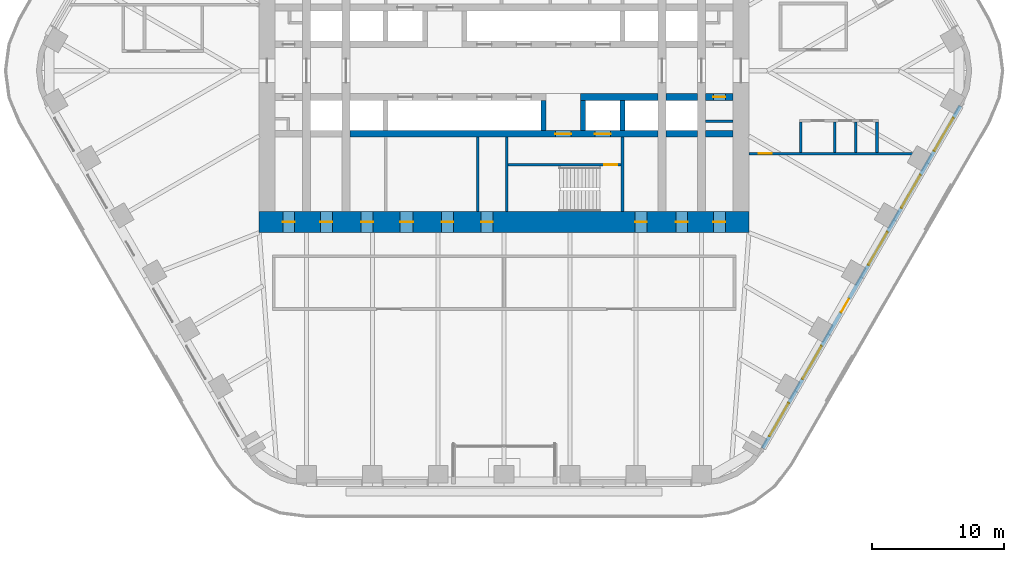
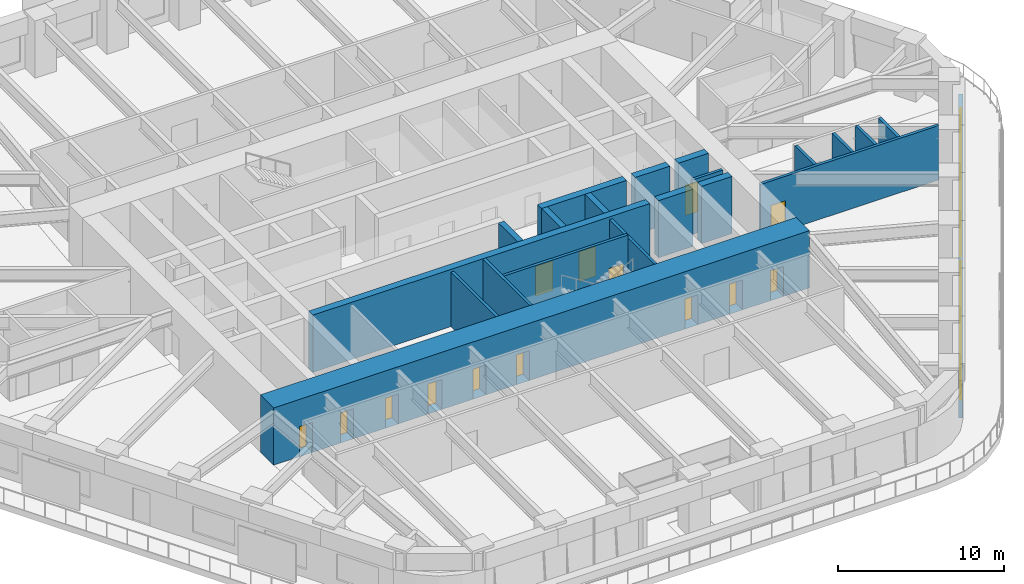
# One storey, part 18 of 24: 21 walls, 15 doors, 5 windows, 20 openings.
"""IFC4 building model written with IfcOpenShell, lengths in metres."""

from ifc_helpers import new_model, si_unit, direction, frame, frame_2d, origin, place, context, subcontext, project, spatial, rectangle, extrude, material, layer, layer_set, type_object, element, fill, save


model = new_model("IFC4")

# Units and contexts
model_context = context("Model", 3, precision=1e-05, world=origin(), true_north=direction((0.0, 1.0)))
body_context = subcontext(model_context, "Body", "Model", "MODEL_VIEW")
ifc_project = project(units=[si_unit("LENGTHUNIT", "METRE"), si_unit("AREAUNIT", "SQUARE_METRE"), si_unit("VOLUMEUNIT", "CUBIC_METRE"), si_unit("PLANEANGLEUNIT", "RADIAN"), si_unit("MASSUNIT", "GRAM", prefix="KILO")], contexts=[model_context])

# Site, building, storey
site_placement = place(None, origin())
site = spatial("IfcSite", under=ifc_project, at=site_placement, CompositionType="ELEMENT")
building_placement = place(site_placement, origin())
building = spatial("IfcBuilding", under=site, at=building_placement, Name="Tarfa Lantern Tower", CompositionType="ELEMENT")
storey_placement = place(building_placement, frame((0.0, 0.0, 195.10009765625)))
storey = spatial("IfcBuildingStorey", under=building, at=storey_placement, Name="L44", CompositionType="ELEMENT", Elevation=195.10009765625)

# Wall, openings, door, windows
ifc_material_1 = material(Name="Limestone cladding on blockwork", Category="masonry")
ifc_layer_1 = layer(ifc_material_1, 0.300048828125)
ifc_layer_set_1 = layer_set([ifc_layer_1], Name="EW1 STONE-CLAD WALL 300")
wall_type_1 = type_object("IfcWallType", Name="EW1 STONE-CLAD WALL 300", PredefinedType="SOLIDWALL", material=ifc_layer_set_1)
wall_1_placement = place(storey_placement, frame((19.644287109375, -28.675048828125, 0.0), z_axis=(0.0, 0.0, 1.0), x_axis=(0.500003084452, 0.866023622968, 0.0)))
wall_1 = element("IfcWall", 1, at=wall_1_placement, inside=storey, type_object=wall_type_1, Name="Stone wall SE", PredefinedType="SOLIDWALL", context=body_context, shape_type="SweptSolid", body=[
    extrude(rectangle(XDim=30.022216796875, YDim=0.300048828125, at=frame_2d((15.01123046875, 0.0))), origin(), (0.0, 0.0, 1.0), 2.75),
])
opening_1_placement = place(wall_1_placement, frame((1.0517578125, 0.0, 0.60009765625)))
opening_1 = element("IfcOpeningElement", 2, at=opening_1_placement, cuts=wall_1, Name="Opening W9", PredefinedType="OPENING", context=body_context, shape_type="SweptSolid", body=[
    extrude(rectangle(XDim=2.89990234375, YDim=1.89990234375, at=frame_2d((1.449951171875, 0.949951171875))), frame((0.0, 0.159912109375, 0.0), z_axis=(0.0, -1.0, 0.0), x_axis=(1.0, 0.0, 0.0)), (0.0, 0.0, 1.0), 0.320068359375),
])
opening_2_placement = place(wall_1_placement, frame((6.0556640625, 0.0, 0.60009765625)))
opening_2 = element("IfcOpeningElement", 3, at=opening_2_placement, cuts=wall_1, Name="Opening W9", PredefinedType="OPENING", context=body_context, shape_type="SweptSolid", body=[
    extrude(rectangle(XDim=2.89990234375, YDim=1.89990234375, at=frame_2d((1.449951171875, 0.949951171875))), frame((0.0, 0.159912109375, 0.0), z_axis=(0.0, -1.0, 0.0), x_axis=(1.0, 0.0, 0.0)), (0.0, 0.0, 1.0), 0.320068359375),
])
opening_3_placement = place(wall_1_placement, frame((11.9091796875, 0.0, 0.0)))
opening_3 = element("IfcOpeningElement", 4, at=opening_3_placement, cuts=wall_1, Name="Opening D50", PredefinedType="OPENING", context=body_context, shape_type="SweptSolid", body=[
    extrude(rectangle(XDim=1.199951171875, YDim=2.39990234375, at=frame_2d((0.60009765625, 1.199951171875))), frame((0.0, 0.159912109375, 0.0), z_axis=(0.0, -1.0, 0.0), x_axis=(1.0, 0.0, 0.0)), (0.0, 0.0, 1.0), 0.320068359375),
])
opening_4_placement = place(wall_1_placement, frame((16.06298828125, 0.0, 0.60009765625)))
opening_4 = element("IfcOpeningElement", 5, at=opening_4_placement, cuts=wall_1, Name="Opening W9", PredefinedType="OPENING", context=body_context, shape_type="SweptSolid", body=[
    extrude(rectangle(XDim=2.89990234375, YDim=1.89990234375, at=frame_2d((1.449951171875, 0.949951171875))), frame((0.0, 0.159912109375, 0.0), z_axis=(0.0, -1.0, 0.0), x_axis=(1.0, 0.0, 0.0)), (0.0, 0.0, 1.0), 0.320068359375),
])
opening_5_placement = place(wall_1_placement, frame((21.066650390625, 0.0, 0.60009765625)))
opening_5 = element("IfcOpeningElement", 6, at=opening_5_placement, cuts=wall_1, Name="Opening W9", PredefinedType="OPENING", context=body_context, shape_type="SweptSolid", body=[
    extrude(rectangle(XDim=2.89990234375, YDim=1.89990234375, at=frame_2d((1.449951171875, 0.949951171875))), frame((0.0, 0.159912109375, 0.0), z_axis=(0.0, -1.0, 0.0), x_axis=(1.0, 0.0, 0.0)), (0.0, 0.0, 1.0), 0.320068359375),
])
opening_6_placement = place(wall_1_placement, frame((26.0703125, 0.0, 0.60009765625)))
opening_6 = element("IfcOpeningElement", 7, at=opening_6_placement, cuts=wall_1, Name="Opening W9", PredefinedType="OPENING", context=body_context, shape_type="SweptSolid", body=[
    extrude(rectangle(XDim=2.89990234375, YDim=1.89990234375, at=frame_2d((1.449951171875, 0.949951171875))), frame((0.0, 0.159912109375, 0.0), z_axis=(0.0, -1.0, 0.0), x_axis=(1.0, 0.0, 0.0)), (0.0, 0.0, 1.0), 0.320068359375),
])
ifc_material_2 = material(Name="Aluminium framed glazed door", Category="aluminium")
door_type_1 = type_object("IfcDoorType", Name="BE3 BALCONY DOOR 1200x2400", OperationType="SINGLE_SWING_RIGHT", PredefinedType="DOOR", material=ifc_material_2)
door_1_placement = place(opening_3_placement, origin())
door_1 = element("IfcDoor", 8, at=door_1_placement, inside=storey, type_object=door_type_1, Name="Balcony door SE", OperationType="SINGLE_SWING_RIGHT", OverallHeight=2.39990234375, OverallWidth=1.199951171875, PredefinedType="DOOR", context=body_context, shape_type="SweptSolid", body=[
    extrude(rectangle(XDim=1.199951171875, YDim=2.39990234375, at=frame_2d((0.60009765625, 1.199951171875))), frame((0.0, 0.02490234375, 0.0), z_axis=(0.0, -1.0, 0.0), x_axis=(1.0, 0.0, 0.0)), (0.0, 0.0, 1.0), 0.050048828125),
])
fill(opening_3, door_1)
ifc_material_3 = material(Name="Aluminium frame, double glazed", Category="aluminium")
window_type = type_object("IfcWindowType", Name="W9 FULL-HEIGHT GLAZING 2900x1900", PartitioningType="SINGLE_PANEL", PredefinedType="WINDOW", material=ifc_material_3)
window_1_placement = place(opening_1_placement, origin())
window_1 = element("IfcWindow", 9, at=window_1_placement, inside=storey, type_object=window_type, Name="Window SE 1", OverallHeight=1.89990234375, OverallWidth=2.89990234375, PartitioningType="SINGLE_PANEL", PredefinedType="WINDOW", context=body_context, shape_type="SweptSolid", body=[
    extrude(rectangle(XDim=2.89990234375, YDim=1.89990234375, at=frame_2d((1.449951171875, 0.949951171875))), frame((0.0, 0.030029296875, 0.0), z_axis=(0.0, -1.0, 0.0), x_axis=(1.0, 0.0, 0.0)), (0.0, 0.0, 1.0), 0.06005859375),
])
fill(opening_1, window_1)
window_2_placement = place(opening_2_placement, origin())
window_2 = element("IfcWindow", 10, at=window_2_placement, inside=storey, type_object=window_type, Name="Window SE 2", OverallHeight=1.89990234375, OverallWidth=2.89990234375, PartitioningType="SINGLE_PANEL", PredefinedType="WINDOW", context=body_context, shape_type="SweptSolid", body=[
    extrude(rectangle(XDim=2.89990234375, YDim=1.89990234375, at=frame_2d((1.449951171875, 0.949951171875))), frame((0.0, 0.030029296875, 0.0), z_axis=(0.0, -1.0, 0.0), x_axis=(1.0, 0.0, 0.0)), (0.0, 0.0, 1.0), 0.06005859375),
])
fill(opening_2, window_2)
window_3_placement = place(opening_4_placement, origin())
window_3 = element("IfcWindow", 11, at=window_3_placement, inside=storey, type_object=window_type, Name="Window SE 4", OverallHeight=1.89990234375, OverallWidth=2.89990234375, PartitioningType="SINGLE_PANEL", PredefinedType="WINDOW", context=body_context, shape_type="SweptSolid", body=[
    extrude(rectangle(XDim=2.89990234375, YDim=1.89990234375, at=frame_2d((1.449951171875, 0.949951171875))), frame((0.0, 0.030029296875, 0.0), z_axis=(0.0, -1.0, 0.0), x_axis=(1.0, 0.0, 0.0)), (0.0, 0.0, 1.0), 0.06005859375),
])
fill(opening_4, window_3)
window_4_placement = place(opening_5_placement, origin())
window_4 = element("IfcWindow", 12, at=window_4_placement, inside=storey, type_object=window_type, Name="Window SE 5", OverallHeight=1.89990234375, OverallWidth=2.89990234375, PartitioningType="SINGLE_PANEL", PredefinedType="WINDOW", context=body_context, shape_type="SweptSolid", body=[
    extrude(rectangle(XDim=2.89990234375, YDim=1.89990234375, at=frame_2d((1.449951171875, 0.949951171875))), frame((0.0, 0.030029296875, 0.0), z_axis=(0.0, -1.0, 0.0), x_axis=(1.0, 0.0, 0.0)), (0.0, 0.0, 1.0), 0.06005859375),
])
fill(opening_5, window_4)
window_5_placement = place(opening_6_placement, origin())
window_5 = element("IfcWindow", 13, at=window_5_placement, inside=storey, type_object=window_type, Name="Window SE 6", OverallHeight=1.89990234375, OverallWidth=2.89990234375, PartitioningType="SINGLE_PANEL", PredefinedType="WINDOW", context=body_context, shape_type="SweptSolid", body=[
    extrude(rectangle(XDim=2.89990234375, YDim=1.89990234375, at=frame_2d((1.449951171875, 0.949951171875))), frame((0.0, 0.030029296875, 0.0), z_axis=(0.0, -1.0, 0.0), x_axis=(1.0, 0.0, 0.0)), (0.0, 0.0, 1.0), 0.06005859375),
])
fill(opening_6, window_5)

# Walls
ifc_material_4 = material(Name="Concrete blockwork", Category="masonry")
ifc_layer_2 = layer(ifc_material_4, 0.199951171875)
ifc_layer_set_2 = layer_set([ifc_layer_2], Name="IW1 BLOCKWORK PARTITION 200 EI 120")
wall_type_2 = type_object("IfcWallType", Name="IW1 BLOCKWORK PARTITION 200 EI 120", PredefinedType="PARTITIONING", material=ifc_layer_set_2)
for number, where, z_axis, x_axis, name in (
    (14, (9.0, -5.050048828125, 0.0), (0.0, 0.0, 1.0), (0.0, -1.0, 0.0), "Core partition"),
    (15, (-2.0, -5.050048828125, 0.0), (0.0, 0.0, 1.0), (0.0, -1.0, 0.0), "Core partition"),
):
    element("IfcWall", number, at=place(storey_placement, frame(where, z_axis=z_axis, x_axis=x_axis)), inside=storey, type_object=wall_type_2, Name=name, PredefinedType="PARTITIONING", context=body_context, shape_type="SweptSolid", body=[
        extrude(rectangle(XDim=5.64990234375, YDim=0.199951171875, at=frame_2d((2.824951171875, 0.0))), origin(), (0.0, 0.0, 1.0), 4.0),
    ])
wall_2_placement = place(storey_placement, frame((17.39990234375, -3.85009765625, 0.0), z_axis=(0.0, 0.0, 1.0), x_axis=(-1.0, 0.0, 0.0)))
element("IfcWall", 16, at=wall_2_placement, inside=storey, type_object=wall_type_2, Name="Core partition", PredefinedType="PARTITIONING", context=body_context, shape_type="SweptSolid", body=[
    extrude(rectangle(XDim=2.099853515625, YDim=0.199951171875, at=frame_2d((1.0498046875, 0.0))), origin(), (0.0, 0.0, 1.0), 4.0),
])

# Wall, opening, door
ifc_material_5 = material(Name="Gypsum board on steel studs", Category="steel")
ifc_layer_3 = layer(ifc_material_5, 0.2099609375)
ifc_layer_set_3 = layer_set([ifc_layer_3], Name="IW2 ACOUSTIC PARTITION 200")
wall_type_3 = type_object("IfcWallType", Name="IW2 ACOUSTIC PARTITION 200", PredefinedType="PARTITIONING", material=ifc_layer_set_3)
wall_3_placement = place(storey_placement, frame((18.60009765625, -6.300048828125, 0.0), z_axis=(0.0, 0.0, 1.0), x_axis=(1.0, 0.0, 0.0)))
wall_3 = element("IfcWall", 17, at=wall_3_placement, inside=storey, type_object=wall_type_3, Name="Partition", PredefinedType="PARTITIONING", context=body_context, shape_type="SweptSolid", body=[
    extrude(rectangle(XDim=12.403564453125, YDim=0.199951171875, at=frame_2d((6.20166015625, 0.0))), origin(), (0.0, 0.0, 1.0), 4.0),
])
opening_7_placement = place(wall_3_placement, frame((0.740478515625, 0.0, 0.0)))
opening_7 = element("IfcOpeningElement", 18, at=opening_7_placement, cuts=wall_3, Name="Opening D48", PredefinedType="OPENING", context=body_context, shape_type="SweptSolid", body=[
    extrude(rectangle(XDim=1.0, YDim=2.199951171875, at=frame_2d((0.5, 1.10009765625))), frame((0.0, 0.10986328125, 0.0), z_axis=(0.0, -1.0, 0.0), x_axis=(1.0, 0.0, 0.0)), (0.0, 0.0, 1.0), 0.219970703125),
])
ifc_material_6 = material(Name="Timber door", Category="wood")
door_type_2 = type_object("IfcDoorType", Name="DR1 ROOM DOOR 1000x2200", OperationType="SINGLE_SWING_LEFT", PredefinedType="DOOR", material=ifc_material_6)
door_2_placement = place(opening_7_placement, origin())
door_2 = element("IfcDoor", 19, at=door_2_placement, inside=storey, type_object=door_type_2, Name="Zone door", OperationType="SINGLE_SWING_RIGHT", OverallHeight=2.199951171875, OverallWidth=1.0, PredefinedType="DOOR", context=body_context, shape_type="SweptSolid", body=[
    extrude(rectangle(XDim=1.0, YDim=2.199951171875, at=frame_2d((0.5, 1.10009765625))), frame((0.0, 0.02490234375, 0.0), z_axis=(0.0, -1.0, 0.0), x_axis=(1.0, 0.0, 0.0)), (0.0, 0.0, 1.0), 0.050048828125),
])
fill(opening_7, door_2)

# Walls
for number, where, z_axis, x_axis, name in (
    (20, (22.52197265625, -6.199951171875, 0.0), (0.0, 0.0, 1.0), (0.0, 1.0, 0.0), "Partition"),
    (21, (25.1220703125, -6.199951171875, 0.0), (0.0, 0.0, 1.0), (0.0, 1.0, 0.0), "Partition"),
    (22, (26.721923828125, -6.199951171875, 0.0), (0.0, 0.0, 1.0), (0.0, 1.0, 0.0), "Partition"),
    (23, (28.322021484375, -6.199951171875, 0.0), (0.0, 0.0, 1.0), (0.0, 1.0, 0.0), "Partition"),
):
    element("IfcWall", number, at=place(storey_placement, frame(where, z_axis=z_axis, x_axis=x_axis)), inside=storey, type_object=wall_type_3, Name=name, PredefinedType="PARTITIONING", context=body_context, shape_type="SweptSolid", body=[
        extrude(rectangle(XDim=2.300048828125, YDim=0.199951171875, at=frame_2d((1.14990234375, 0.0))), origin(), (0.0, 0.0, 1.0), 4.0),
    ])
ifc_material_7 = material(Name="Concrete C80/95", Category="concrete")
ifc_layer_4 = layer(ifc_material_7, 0.199951171875)
ifc_layer_set_4 = layer_set([ifc_layer_4], Name="SW12 CORE WALL 200")
wall_type_4 = type_object("IfcWallType", Name="SW12 CORE WALL 200", PredefinedType="SHEAR", material=ifc_layer_set_4)
wall_4_placement = place(storey_placement, frame((0.199951171875, -5.050048828125, 0.0), z_axis=(0.0, 0.0, 1.0), x_axis=(0.0, -1.0, 0.0)))
element("IfcWall", 24, at=wall_4_placement, inside=storey, type_object=wall_type_4, Name="Core wall stair shaft S", PredefinedType="SHEAR", context=body_context, shape_type="SweptSolid", body=[
    extrude(rectangle(XDim=5.64990234375, YDim=0.199951171875, at=frame_2d((2.824951171875, 0.0))), origin(), (0.0, 0.0, 1.0), 4.199951171875),
])

# Wall, opening, door
wall_5_placement = place(storey_placement, frame((8.89990234375, -7.14990234375, 0.0), z_axis=(0.0, 0.0, 1.0), x_axis=(-1.0, 0.0, 0.0)))
wall_5 = element("IfcWall", 25, at=wall_5_placement, inside=storey, type_object=wall_type_4, Name="Core wall stair partition S", PredefinedType="SHEAR", context=body_context, shape_type="SweptSolid", body=[
    extrude(rectangle(XDim=8.599853515625, YDim=0.199951171875, at=frame_2d((4.2998046875, 0.0))), origin(), (0.0, 0.0, 1.0), 4.199951171875),
])
opening_8_placement = place(wall_5_placement, frame((0.300048828125, 0.0, 0.0)))
opening_8 = element("IfcOpeningElement", 26, at=opening_8_placement, cuts=wall_5, Name="Opening D28", PredefinedType="OPENING", context=body_context, shape_type="SweptSolid", body=[
    extrude(rectangle(XDim=1.0, YDim=2.199951171875, at=frame_2d((0.5, 1.10009765625))), frame((0.0, 0.10986328125, 0.0), z_axis=(0.0, -1.0, 0.0), x_axis=(1.0, 0.0, 0.0)), (0.0, 0.0, 1.0), 0.219970703125),
])
ifc_material_8 = material(Name="Steel fire door", Category="steel")
door_type_3 = type_object("IfcDoorType", Name="DF2 STAIR DOOR 1000x2200", OperationType="SINGLE_SWING_LEFT", PredefinedType="DOOR", material=ifc_material_8)
door_3_placement = place(opening_8_placement, origin())
door_3 = element("IfcDoor", 27, at=door_3_placement, inside=storey, type_object=door_type_3, Name="Stair door", OperationType="SINGLE_SWING_RIGHT", OverallHeight=2.199951171875, OverallWidth=1.0, PredefinedType="DOOR", context=body_context, shape_type="SweptSolid", body=[
    extrude(rectangle(XDim=1.0, YDim=2.199951171875, at=frame_2d((0.5, 1.10009765625))), frame((0.0, 0.02490234375, 0.0), z_axis=(0.0, -1.0, 0.0), x_axis=(1.0, 0.0, 0.0)), (0.0, 0.0, 1.0), 0.050048828125),
])
fill(opening_8, door_3)

ifc_layer_5 = layer(ifc_material_7, 0.5)
ifc_layer_set_5 = layer_set([ifc_layer_5], Name="SW5 CORE WALL 500")
wall_type_5 = type_object("IfcWallType", Name="SW5 CORE WALL 500", PredefinedType="SHEAR", material=ifc_layer_set_5)
wall_6_placement = place(storey_placement, frame((17.39990234375, -2.0, 0.0), z_axis=(0.0, 0.0, 1.0), x_axis=(-1.0, 0.0, 0.0)))
wall_6 = element("IfcWall", 28, at=wall_6_placement, inside=storey, type_object=wall_type_5, Name="Core wall lobby west S", PredefinedType="SHEAR", context=body_context, shape_type="SweptSolid", body=[
    extrude(rectangle(XDim=2.099853515625, YDim=0.5, at=frame_2d((1.0498046875, 0.0))), origin(), (0.0, 0.0, 1.0), 4.199951171875),
])
opening_9_placement = place(wall_6_placement, frame((0.60009765625, 0.0, 0.0)))
opening_9 = element("IfcOpeningElement", 29, at=opening_9_placement, cuts=wall_6, Name="Opening D20", PredefinedType="OPENING", context=body_context, shape_type="SweptSolid", body=[
    extrude(rectangle(XDim=0.89990234375, YDim=2.199951171875, at=frame_2d((0.449951171875, 1.10009765625))), frame((0.0, 0.260009765625, 0.0), z_axis=(0.0, -1.0, 0.0), x_axis=(1.0, 0.0, 0.0)), (0.0, 0.0, 1.0), 0.52001953125),
])
door_type_4 = type_object("IfcDoorType", Name="DF6 SERVICE ROOM DOOR 900x2200", OperationType="SINGLE_SWING_LEFT", PredefinedType="DOOR", material=ifc_material_8)
door_4_placement = place(opening_9_placement, origin())
door_4 = element("IfcDoor", 30, at=door_4_placement, inside=storey, type_object=door_type_4, Name="Service room door", OperationType="SINGLE_SWING_LEFT", OverallHeight=2.199951171875, OverallWidth=0.89990234375, PredefinedType="DOOR", context=body_context, shape_type="SweptSolid", body=[
    extrude(rectangle(XDim=0.89990234375, YDim=2.199951171875, at=frame_2d((0.449951171875, 1.10009765625))), frame((0.0, 0.02490234375, 0.0), z_axis=(0.0, -1.0, 0.0), x_axis=(1.0, 0.0, 0.0)), (0.0, 0.0, 1.0), 0.050048828125),
])
fill(opening_9, door_4)

# Walls
wall_7_placement = place(storey_placement, frame((14.699951171875, -2.0, 0.0), z_axis=(0.0, 0.0, 1.0), x_axis=(-1.0, 0.0, 0.0)))
element("IfcWall", 31, at=wall_7_placement, inside=storey, type_object=wall_type_5, Name="Core wall lobby west S", PredefinedType="SHEAR", context=body_context, shape_type="SweptSolid", body=[
    extrude(rectangle(XDim=2.39990234375, YDim=0.5, at=frame_2d((1.199951171875, 0.0))), origin(), (0.0, 0.0, 1.0), 4.199951171875),
])
wall_8_placement = place(storey_placement, frame((11.699951171875, -2.0, 0.0), z_axis=(0.0, 0.0, 1.0), x_axis=(-1.0, 0.0, 0.0)))
element("IfcWall", 32, at=wall_8_placement, inside=storey, type_object=wall_type_5, Name="Core wall lobby west S", PredefinedType="SHEAR", context=body_context, shape_type="SweptSolid", body=[
    extrude(rectangle(XDim=5.89990234375, YDim=0.5, at=frame_2d((2.949951171875, 0.0))), origin(), (0.0, 0.0, 1.0), 4.199951171875),
])
wall_9_placement = place(storey_placement, frame((17.39990234375, -4.800048828125, 0.0), z_axis=(0.0, 0.0, 1.0), x_axis=(-1.0, 0.0, 0.0)))
element("IfcWall", 33, at=wall_9_placement, inside=storey, type_object=wall_type_5, Name="Core wall rear S", PredefinedType="SHEAR", context=body_context, shape_type="SweptSolid", body=[
    extrude(rectangle(XDim=2.099853515625, YDim=0.5, at=frame_2d((1.0498046875, 0.0))), origin(), (0.0, 0.0, 1.0), 4.199951171875),
])
wall_10_placement = place(storey_placement, frame((14.699951171875, -4.800048828125, 0.0), z_axis=(0.0, 0.0, 1.0), x_axis=(-1.0, 0.0, 0.0)))
element("IfcWall", 34, at=wall_10_placement, inside=storey, type_object=wall_type_5, Name="Core wall rear S", PredefinedType="SHEAR", context=body_context, shape_type="SweptSolid", body=[
    extrude(rectangle(XDim=2.39990234375, YDim=0.5, at=frame_2d((1.199951171875, 0.0))), origin(), (0.0, 0.0, 1.0), 4.199951171875),
])

# Wall, openings, doors
wall_11_placement = place(storey_placement, frame((11.699951171875, -4.800048828125, 0.0), z_axis=(0.0, 0.0, 1.0), x_axis=(-1.0, 0.0, 0.0)))
wall_11 = element("IfcWall", 35, at=wall_11_placement, inside=storey, type_object=wall_type_5, Name="Core wall rear S", PredefinedType="SHEAR", context=body_context, shape_type="SweptSolid", body=[
    extrude(rectangle(XDim=23.39990234375, YDim=0.5, at=frame_2d((11.699951171875, 0.0))), origin(), (0.0, 0.0, 1.0), 4.199951171875),
])
opening_10_placement = place(wall_11_placement, frame((6.60009765625, 0.0, 0.0)))
opening_10 = element("IfcOpeningElement", 36, at=opening_10_placement, cuts=wall_11, Name="Opening D14", PredefinedType="OPENING", context=body_context, shape_type="SweptSolid", body=[
    extrude(rectangle(XDim=1.199951171875, YDim=2.199951171875, at=frame_2d((0.60009765625, 1.10009765625))), frame((0.0, 0.260009765625, 0.0), z_axis=(0.0, -1.0, 0.0), x_axis=(1.0, 0.0, 0.0)), (0.0, 0.0, 1.0), 0.52001953125),
])
opening_11_placement = place(wall_11_placement, frame((3.60009765625, 0.0, 0.0)))
opening_11 = element("IfcOpeningElement", 37, at=opening_11_placement, cuts=wall_11, Name="Opening LD02", PredefinedType="OPENING", context=body_context, shape_type="SweptSolid", body=[
    extrude(rectangle(XDim=1.199951171875, YDim=2.199951171875, at=frame_2d((0.60009765625, 1.10009765625))), frame((0.0, 0.260009765625, 0.0), z_axis=(0.0, -1.0, 0.0), x_axis=(1.0, 0.0, 0.0)), (0.0, 0.0, 1.0), 0.52001953125),
])
door_type_5 = type_object("IfcDoorType", Name="DF1 FIREFIGHTING LOBBY DOOR 1200x2200", OperationType="SINGLE_SWING_LEFT", PredefinedType="DOOR", material=ifc_material_8)
door_5_placement = place(opening_10_placement, origin())
door_5 = element("IfcDoor", 38, at=door_5_placement, inside=storey, type_object=door_type_5, Name="Firefighting lobby door", OperationType="SINGLE_SWING_LEFT", OverallHeight=2.199951171875, OverallWidth=1.199951171875, PredefinedType="DOOR", context=body_context, shape_type="SweptSolid", body=[
    extrude(rectangle(XDim=1.199951171875, YDim=2.199951171875, at=frame_2d((0.60009765625, 1.10009765625))), frame((0.0, 0.02490234375, 0.0), z_axis=(0.0, -1.0, 0.0), x_axis=(1.0, 0.0, 0.0)), (0.0, 0.0, 1.0), 0.050048828125),
])
fill(opening_10, door_5)
ifc_material_9 = material(Name="Stainless steel lift door", Category="steel")
door_type_6 = type_object("IfcDoorType", Name="LD1 LIFT LANDING DOOR 1200x2200", OperationType="SLIDING_TO_LEFT", PredefinedType="DOOR", material=ifc_material_9)
door_6_placement = place(opening_11_placement, origin())
door_6 = element("IfcDoor", 39, at=door_6_placement, inside=storey, type_object=door_type_6, Name="Landing door FL2", OperationType="SLIDING_TO_LEFT", OverallHeight=2.199951171875, OverallWidth=1.199951171875, PredefinedType="DOOR", context=body_context, shape_type="SweptSolid", body=[
    extrude(rectangle(XDim=1.199951171875, YDim=2.199951171875, at=frame_2d((0.60009765625, 1.10009765625))), frame((0.0, 0.02490234375, 0.0), z_axis=(0.0, -1.0, 0.0), x_axis=(1.0, 0.0, 0.0)), (0.0, 0.0, 1.0), 0.050048828125),
])
fill(opening_11, door_6)

# Walls
ifc_layer_6 = layer(ifc_material_7, 0.39990234375)
ifc_layer_set_6 = layer_set([ifc_layer_6], Name="SW6 CORE WALL 400")
wall_type_6 = type_object("IfcWallType", Name="SW6 CORE WALL 400", PredefinedType="SHEAR", material=ifc_layer_set_6)
for number, where, z_axis, x_axis, name in (
    (40, (9.0, -2.25, 0.0), (0.0, 0.0, 1.0), (0.0, -1.0, 0.0), "Core wall divider S"),
    (41, (6.0, -2.25, 0.0), (0.0, 0.0, 1.0), (0.0, -1.0, 0.0), "Core wall divider S"),
    (42, (3.0, -2.25, 0.0), (0.0, 0.0, 1.0), (0.0, -1.0, 0.0), "Core wall divider S"),
):
    element("IfcWall", number, at=place(storey_placement, frame(where, z_axis=z_axis, x_axis=x_axis)), inside=storey, type_object=wall_type_6, Name=name, PredefinedType="SHEAR", context=body_context, shape_type="SweptSolid", body=[
        extrude(rectangle(XDim=2.300048828125, YDim=0.39990234375, at=frame_2d((1.14990234375, 0.0))), origin(), (0.0, 0.0, 1.0), 4.199951171875),
    ])

# Wall, openings, doors
ifc_layer_7 = layer(ifc_material_7, 1.60009765625)
ifc_layer_set_7 = layer_set([ifc_layer_7], Name="SW7 CORE WALL 1600")
wall_type_7 = type_object("IfcWallType", Name="SW7 CORE WALL 1600", PredefinedType="SHEAR", material=ifc_layer_set_7)
wall_12_placement = place(storey_placement, frame((18.60009765625, -11.5, 0.0), z_axis=(0.0, 0.0, 1.0), x_axis=(-1.0, 0.0, 0.0)))
wall_12 = element("IfcWall", 43, at=wall_12_placement, inside=storey, type_object=wall_type_7, Name="Core wall S", PredefinedType="SHEAR", context=body_context, shape_type="SweptSolid", body=[
    extrude(rectangle(XDim=37.2001953125, YDim=1.60009765625, at=frame_2d((18.60009765625, 0.0))), origin(), (0.0, 0.0, 1.0), 4.199951171875),
])
opening_12_placement = place(wall_12_placement, frame((19.449951171875, 0.0, 0.0)))
opening_12 = element("IfcOpeningElement", 44, at=opening_12_placement, cuts=wall_12, Name="Opening D22", PredefinedType="OPENING", context=body_context, shape_type="SweptSolid", body=[
    extrude(rectangle(XDim=0.89990234375, YDim=2.199951171875, at=frame_2d((0.449951171875, 1.10009765625))), frame((0.0, 0.81005859375, 0.0), z_axis=(0.0, -1.0, 0.0), x_axis=(1.0, 0.0, 0.0)), (0.0, 0.0, 1.0), 1.6201171875),
])
opening_13_placement = place(wall_12_placement, frame((22.449951171875, 0.0, 0.0)))
opening_13 = element("IfcOpeningElement", 45, at=opening_13_placement, cuts=wall_12, Name="Opening D24", PredefinedType="OPENING", context=body_context, shape_type="SweptSolid", body=[
    extrude(rectangle(XDim=0.89990234375, YDim=2.199951171875, at=frame_2d((0.449951171875, 1.10009765625))), frame((0.0, 0.81005859375, 0.0), z_axis=(0.0, -1.0, 0.0), x_axis=(1.0, 0.0, 0.0)), (0.0, 0.0, 1.0), 1.6201171875),
])
opening_14_placement = place(wall_12_placement, frame((25.5, 0.0, 0.0)))
opening_14 = element("IfcOpeningElement", 46, at=opening_14_placement, cuts=wall_12, Name="Opening D26", PredefinedType="OPENING", context=body_context, shape_type="SweptSolid", body=[
    extrude(rectangle(XDim=1.0, YDim=2.199951171875, at=frame_2d((0.5, 1.10009765625))), frame((0.0, 0.81005859375, 0.0), z_axis=(0.0, -1.0, 0.0), x_axis=(1.0, 0.0, 0.0)), (0.0, 0.0, 1.0), 1.6201171875),
])
opening_15_placement = place(wall_12_placement, frame((1.800048828125, 0.0, 0.0)))
opening_15 = element("IfcOpeningElement", 47, at=opening_15_placement, cuts=wall_12, Name="Opening D12", PredefinedType="OPENING", context=body_context, shape_type="SweptSolid", body=[
    extrude(rectangle(XDim=0.89990234375, YDim=2.199951171875, at=frame_2d((0.449951171875, 1.10009765625))), frame((0.0, 0.81005859375, 0.0), z_axis=(0.0, -1.0, 0.0), x_axis=(1.0, 0.0, 0.0)), (0.0, 0.0, 1.0), 1.6201171875),
])
opening_16_placement = place(wall_12_placement, frame((4.64990234375, 0.0, 0.0)))
opening_16 = element("IfcOpeningElement", 48, at=opening_16_placement, cuts=wall_12, Name="Opening D08", PredefinedType="OPENING", context=body_context, shape_type="SweptSolid", body=[
    extrude(rectangle(XDim=0.89990234375, YDim=2.199951171875, at=frame_2d((0.449951171875, 1.10009765625))), frame((0.0, 0.81005859375, 0.0), z_axis=(0.0, -1.0, 0.0), x_axis=(1.0, 0.0, 0.0)), (0.0, 0.0, 1.0), 1.6201171875),
])
opening_17_placement = place(wall_12_placement, frame((7.75, 0.0, 0.0)))
opening_17 = element("IfcOpeningElement", 49, at=opening_17_placement, cuts=wall_12, Name="Opening D10", PredefinedType="OPENING", context=body_context, shape_type="SweptSolid", body=[
    extrude(rectangle(XDim=0.89990234375, YDim=2.199951171875, at=frame_2d((0.449951171875, 1.10009765625))), frame((0.0, 0.81005859375, 0.0), z_axis=(0.0, -1.0, 0.0), x_axis=(1.0, 0.0, 0.0)), (0.0, 0.0, 1.0), 1.6201171875),
])
opening_18_placement = place(wall_12_placement, frame((28.550048828125, 0.0, 0.0)))
opening_18 = element("IfcOpeningElement", 50, at=opening_18_placement, cuts=wall_12, Name="Opening D06", PredefinedType="OPENING", context=body_context, shape_type="SweptSolid", body=[
    extrude(rectangle(XDim=0.89990234375, YDim=2.199951171875, at=frame_2d((0.449951171875, 1.10009765625))), frame((0.0, 0.81005859375, 0.0), z_axis=(0.0, -1.0, 0.0), x_axis=(1.0, 0.0, 0.0)), (0.0, 0.0, 1.0), 1.6201171875),
])
opening_19_placement = place(wall_12_placement, frame((31.64990234375, 0.0, 0.0)))
opening_19 = element("IfcOpeningElement", 51, at=opening_19_placement, cuts=wall_12, Name="Opening D02", PredefinedType="OPENING", context=body_context, shape_type="SweptSolid", body=[
    extrude(rectangle(XDim=0.89990234375, YDim=2.199951171875, at=frame_2d((0.449951171875, 1.10009765625))), frame((0.0, 0.81005859375, 0.0), z_axis=(0.0, -1.0, 0.0), x_axis=(1.0, 0.0, 0.0)), (0.0, 0.0, 1.0), 1.6201171875),
])
opening_20_placement = place(wall_12_placement, frame((34.5, 0.0, 0.0)))
opening_20 = element("IfcOpeningElement", 52, at=opening_20_placement, cuts=wall_12, Name="Opening D04", PredefinedType="OPENING", context=body_context, shape_type="SweptSolid", body=[
    extrude(rectangle(XDim=0.89990234375, YDim=2.199951171875, at=frame_2d((0.449951171875, 1.10009765625))), frame((0.0, 0.81005859375, 0.0), z_axis=(0.0, -1.0, 0.0), x_axis=(1.0, 0.0, 0.0)), (0.0, 0.0, 1.0), 1.6201171875),
])
door_type_7 = type_object("IfcDoorType", Name="DF3 CORE ROOM DOOR 900x2200", OperationType="SINGLE_SWING_LEFT", PredefinedType="DOOR", material=ifc_material_8)
door_7_placement = place(opening_12_placement, frame((0.89990234375, 0.0, 0.0), z_axis=(0.0, 0.0, 1.0), x_axis=(-1.0, 0.0, 0.0)))
door_7 = element("IfcDoor", 53, at=door_7_placement, inside=storey, type_object=door_type_7, Name="Core door", OperationType="SINGLE_SWING_RIGHT", OverallHeight=2.199951171875, OverallWidth=0.89990234375, PredefinedType="DOOR", context=body_context, shape_type="SweptSolid", body=[
    extrude(rectangle(XDim=0.89990234375, YDim=2.199951171875, at=frame_2d((0.449951171875, 1.10009765625))), frame((0.0, 0.02490234375, 0.0), z_axis=(0.0, -1.0, 0.0), x_axis=(1.0, 0.0, 0.0)), (0.0, 0.0, 1.0), 0.050048828125),
])
fill(opening_12, door_7)
door_8_placement = place(opening_13_placement, frame((0.89990234375, 0.0, 0.0), z_axis=(0.0, 0.0, 1.0), x_axis=(-1.0, 0.0, 0.0)))
door_8 = element("IfcDoor", 54, at=door_8_placement, inside=storey, type_object=door_type_7, Name="Core door", OperationType="SINGLE_SWING_LEFT", OverallHeight=2.199951171875, OverallWidth=0.89990234375, PredefinedType="DOOR", context=body_context, shape_type="SweptSolid", body=[
    extrude(rectangle(XDim=0.89990234375, YDim=2.199951171875, at=frame_2d((0.449951171875, 1.10009765625))), frame((0.0, 0.02490234375, 0.0), z_axis=(0.0, -1.0, 0.0), x_axis=(1.0, 0.0, 0.0)), (0.0, 0.0, 1.0), 0.050048828125),
])
fill(opening_13, door_8)
door_type_8 = type_object("IfcDoorType", Name="DF4 CORE ROOM DOOR 1000x2200", OperationType="SINGLE_SWING_LEFT", PredefinedType="DOOR", material=ifc_material_8)
door_9_placement = place(opening_14_placement, frame((1.0, 0.0, 0.0), z_axis=(0.0, 0.0, 1.0), x_axis=(-1.0, 0.0, 0.0)))
door_9 = element("IfcDoor", 55, at=door_9_placement, inside=storey, type_object=door_type_8, Name="Core door", OperationType="SINGLE_SWING_RIGHT", OverallHeight=2.199951171875, OverallWidth=1.0, PredefinedType="DOOR", context=body_context, shape_type="SweptSolid", body=[
    extrude(rectangle(XDim=1.0, YDim=2.199951171875, at=frame_2d((0.5, 1.10009765625))), frame((0.0, 0.02490234375, 0.0), z_axis=(0.0, -1.0, 0.0), x_axis=(1.0, 0.0, 0.0)), (0.0, 0.0, 1.0), 0.050048828125),
])
fill(opening_14, door_9)
door_type_9 = type_object("IfcDoorType", Name="DF5 RISER DOOR 900x2200", OperationType="SINGLE_SWING_LEFT", PredefinedType="DOOR", material=ifc_material_8)
door_10_placement = place(opening_15_placement, frame((0.89990234375, 0.0, 0.0), z_axis=(0.0, 0.0, 1.0), x_axis=(-1.0, 0.0, 0.0)))
door_10 = element("IfcDoor", 56, at=door_10_placement, inside=storey, type_object=door_type_9, Name="Riser door", OperationType="SINGLE_SWING_LEFT", OverallHeight=2.199951171875, OverallWidth=0.89990234375, PredefinedType="DOOR", context=body_context, shape_type="SweptSolid", body=[
    extrude(rectangle(XDim=0.89990234375, YDim=2.199951171875, at=frame_2d((0.449951171875, 1.10009765625))), frame((0.0, 0.02490234375, 0.0), z_axis=(0.0, -1.0, 0.0), x_axis=(1.0, 0.0, 0.0)), (0.0, 0.0, 1.0), 0.050048828125),
])
fill(opening_15, door_10)
door_11_placement = place(opening_16_placement, frame((0.89990234375, 0.0, 0.0), z_axis=(0.0, 0.0, 1.0), x_axis=(-1.0, 0.0, 0.0)))
door_11 = element("IfcDoor", 57, at=door_11_placement, inside=storey, type_object=door_type_9, Name="Riser door", OperationType="SINGLE_SWING_LEFT", OverallHeight=2.199951171875, OverallWidth=0.89990234375, PredefinedType="DOOR", context=body_context, shape_type="SweptSolid", body=[
    extrude(rectangle(XDim=0.89990234375, YDim=2.199951171875, at=frame_2d((0.449951171875, 1.10009765625))), frame((0.0, 0.02490234375, 0.0), z_axis=(0.0, -1.0, 0.0), x_axis=(1.0, 0.0, 0.0)), (0.0, 0.0, 1.0), 0.050048828125),
])
fill(opening_16, door_11)
door_12_placement = place(opening_17_placement, frame((0.89990234375, 0.0, 0.0), z_axis=(0.0, 0.0, 1.0), x_axis=(-1.0, 0.0, 0.0)))
door_12 = element("IfcDoor", 58, at=door_12_placement, inside=storey, type_object=door_type_9, Name="Riser door", OperationType="SINGLE_SWING_LEFT", OverallHeight=2.199951171875, OverallWidth=0.89990234375, PredefinedType="DOOR", context=body_context, shape_type="SweptSolid", body=[
    extrude(rectangle(XDim=0.89990234375, YDim=2.199951171875, at=frame_2d((0.449951171875, 1.10009765625))), frame((0.0, 0.02490234375, 0.0), z_axis=(0.0, -1.0, 0.0), x_axis=(1.0, 0.0, 0.0)), (0.0, 0.0, 1.0), 0.050048828125),
])
fill(opening_17, door_12)
door_13_placement = place(opening_18_placement, frame((0.89990234375, 0.0, 0.0), z_axis=(0.0, 0.0, 1.0), x_axis=(-1.0, 0.0, 0.0)))
door_13 = element("IfcDoor", 59, at=door_13_placement, inside=storey, type_object=door_type_9, Name="Riser door", OperationType="SINGLE_SWING_RIGHT", OverallHeight=2.199951171875, OverallWidth=0.89990234375, PredefinedType="DOOR", context=body_context, shape_type="SweptSolid", body=[
    extrude(rectangle(XDim=0.89990234375, YDim=2.199951171875, at=frame_2d((0.449951171875, 1.10009765625))), frame((0.0, 0.02490234375, 0.0), z_axis=(0.0, -1.0, 0.0), x_axis=(1.0, 0.0, 0.0)), (0.0, 0.0, 1.0), 0.050048828125),
])
fill(opening_18, door_13)
door_14_placement = place(opening_19_placement, frame((0.89990234375, 0.0, 0.0), z_axis=(0.0, 0.0, 1.0), x_axis=(-1.0, 0.0, 0.0)))
door_14 = element("IfcDoor", 60, at=door_14_placement, inside=storey, type_object=door_type_9, Name="Riser door", OperationType="SINGLE_SWING_RIGHT", OverallHeight=2.199951171875, OverallWidth=0.89990234375, PredefinedType="DOOR", context=body_context, shape_type="SweptSolid", body=[
    extrude(rectangle(XDim=0.89990234375, YDim=2.199951171875, at=frame_2d((0.449951171875, 1.10009765625))), frame((0.0, 0.02490234375, 0.0), z_axis=(0.0, -1.0, 0.0), x_axis=(1.0, 0.0, 0.0)), (0.0, 0.0, 1.0), 0.050048828125),
])
fill(opening_19, door_14)
door_15_placement = place(opening_20_placement, frame((0.89990234375, 0.0, 0.0), z_axis=(0.0, 0.0, 1.0), x_axis=(-1.0, 0.0, 0.0)))
door_15 = element("IfcDoor", 61, at=door_15_placement, inside=storey, type_object=door_type_9, Name="Riser door", OperationType="SINGLE_SWING_RIGHT", OverallHeight=2.199951171875, OverallWidth=0.89990234375, PredefinedType="DOOR", context=body_context, shape_type="SweptSolid", body=[
    extrude(rectangle(XDim=0.89990234375, YDim=2.199951171875, at=frame_2d((0.449951171875, 1.10009765625))), frame((0.0, 0.02490234375, 0.0), z_axis=(0.0, -1.0, 0.0), x_axis=(1.0, 0.0, 0.0)), (0.0, 0.0, 1.0), 0.050048828125),
])
fill(opening_20, door_15)

save(model, "model.ifc")
